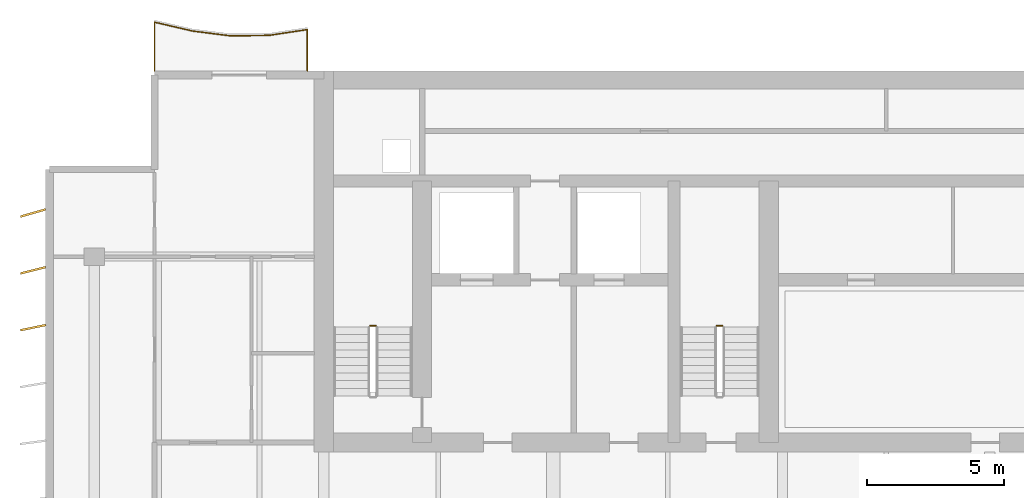
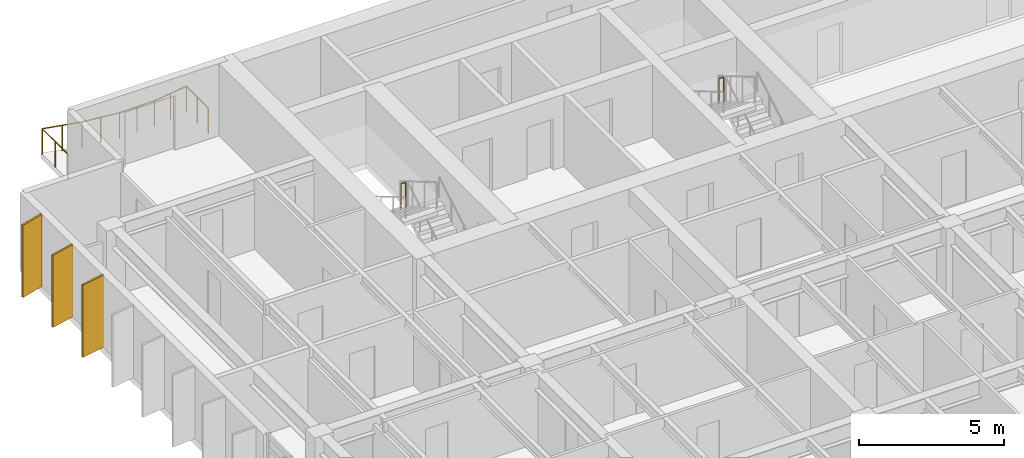
# One storey, part 16 of 17: 3 railings, 3 shading devices.
"""IFC4 building model written with IfcOpenShell, lengths in metres."""

from ifc_helpers import new_model, si_unit, direction, frame, origin, origin_2d, place, context, subcontext, project, spatial, rectangle, circle, extrude, material, material_profile, profile_set, type_object, element, save


model = new_model("IFC4")

# Units and contexts
model_context = context("Model", 3, precision=1e-05, world=origin(), true_north=direction((0.0, 1.0)))
body_context = subcontext(model_context, "Body", "Model", "MODEL_VIEW")
ifc_project = project(units=[si_unit("LENGTHUNIT", "METRE"), si_unit("AREAUNIT", "SQUARE_METRE"), si_unit("VOLUMEUNIT", "CUBIC_METRE"), si_unit("PLANEANGLEUNIT", "RADIAN"), si_unit("MASSUNIT", "GRAM", prefix="KILO")], contexts=[model_context])

# Site, building, storey
site_placement = place(None, origin())
site = spatial("IfcSite", under=ifc_project, at=site_placement, CompositionType="ELEMENT")
building_placement = place(site_placement, origin())
building = spatial("IfcBuilding", under=site, at=building_placement, Name="Caelmar Bay Residences", CompositionType="ELEMENT")
storey_placement = place(building_placement, frame((0.0, 0.0, 236.39990234375)))
storey = spatial("IfcBuildingStorey", under=building, at=storey_placement, Name="L66", CompositionType="ELEMENT", Elevation=236.39990234375)

# Railings
ifc_material_1 = material(Name="Anodised bronze handrail with laminated hurricane glass infill", Category="glass")
railing_type_1 = type_object("IfcRailingType", Name="RL-BAL-1100", PredefinedType="BALUSTRADE", material=ifc_material_1)
railing_placement = place(storey_placement, frame((17.699951171875, 50.60009765625, 0.0)))
element("IfcRailing", 1, at=railing_placement, inside=storey, type_object=railing_type_1, Name="L66 north_west Balcony Balustrade", PredefinedType="BALUSTRADE", context=body_context, shape_type="SweptSolid", body=[
    extrude(circle(Radius=0.02392578125, at=origin_2d()), frame((0.0, 0.0, 1.076171875), z_axis=(0.0, 1.0, 0.0), x_axis=(-1.0, 0.0, 0.0)), (0.0, 0.0, 1.0), 1.51806640625),
    extrude(circle(Radius=0.02392578125, at=origin_2d()), frame((0.0, 1.51806640625, 1.076171875), z_axis=(-0.988786598686, -0.149335401894, 0.0), x_axis=(0.149335401894, -0.988786598686, 0.0)), (0.0, 0.0, 1.0), 1.415771484375),
    extrude(circle(Radius=0.02392578125, at=origin_2d()), frame((-1.39990234375, 1.306640625, 1.076171875), z_axis=(-0.999895289284, -0.014471021623, 0.0), x_axis=(0.014471021623, -0.999895289284, 0.0)), (0.0, 0.0, 1.0), 1.400390625),
    extrude(circle(Radius=0.02392578125, at=origin_2d()), frame((-2.800048828125, 1.286376953125, 1.076171875), z_axis=(-0.992187101504, 0.124758789708, 0.0), x_axis=(-0.124758789708, -0.992187101504, 0.0)), (0.0, 0.0, 1.0), 1.410888671875),
    extrude(circle(Radius=0.02392578125, at=origin_2d()), frame((-4.199951171875, 1.46240234375, 1.076171875), z_axis=(-0.973988849796, 0.226595940989, 0.0), x_axis=(-0.226595940989, -0.973988849796, 0.0)), (0.0, 0.0, 1.0), 1.437255859375),
    extrude(circle(Radius=0.02392578125, at=origin_2d()), frame((-5.599853515625, 1.7880859375, 1.076171875), z_axis=(0.0, -1.0, 0.0), x_axis=(1.0, 0.0, 0.0)), (0.0, 0.0, 1.0), 1.7880859375),
    extrude(circle(Radius=0.02099609375, at=origin_2d()), origin(), (0.0, 0.0, 1.0), 1.052001953125),
    extrude(circle(Radius=0.02099609375, at=origin_2d()), frame((0.0, 0.759033203125, 0.0)), (0.0, 0.0, 1.0), 1.052001953125),
    extrude(circle(Radius=0.02099609375, at=origin_2d()), frame((0.0, 1.51806640625, 0.0)), (0.0, 0.0, 1.0), 1.052001953125),
    extrude(circle(Radius=0.02099609375, at=origin_2d()), frame((-0.699951171875, 1.412353515625, 0.0)), (0.0, 0.0, 1.0), 1.052001953125),
    extrude(circle(Radius=0.02099609375, at=origin_2d()), frame((-1.39990234375, 1.306640625, 0.0)), (0.0, 0.0, 1.0), 1.052001953125),
    extrude(circle(Radius=0.02099609375, at=origin_2d()), frame((-2.10009765625, 1.29638671875, 0.0)), (0.0, 0.0, 1.0), 1.052001953125),
    extrude(circle(Radius=0.02099609375, at=origin_2d()), frame((-2.800048828125, 1.286376953125, 0.0)), (0.0, 0.0, 1.0), 1.052001953125),
    extrude(circle(Radius=0.02099609375, at=origin_2d()), frame((-3.5, 1.37451171875, 0.0)), (0.0, 0.0, 1.0), 1.052001953125),
    extrude(circle(Radius=0.02099609375, at=origin_2d()), frame((-4.199951171875, 1.46240234375, 0.0)), (0.0, 0.0, 1.0), 1.052001953125),
    extrude(circle(Radius=0.02099609375, at=origin_2d()), frame((-4.89990234375, 1.625244140625, 0.0)), (0.0, 0.0, 1.0), 1.052001953125),
    extrude(circle(Radius=0.02099609375, at=origin_2d()), frame((-5.599853515625, 1.7880859375, 0.0)), (0.0, 0.0, 1.0), 1.052001953125),
    extrude(circle(Radius=0.02099609375, at=origin_2d()), frame((-5.599853515625, 0.89404296875, 0.0)), (0.0, 0.0, 1.0), 1.052001953125),
    extrude(circle(Radius=0.02099609375, at=origin_2d()), frame((-5.599853515625, 0.0, 0.0)), (0.0, 0.0, 1.0), 1.052001953125),
])
ifc_material_2 = material(Name="Painted galvanized steel stair guard 1100 mm", Category="steel")
railing_type_2 = type_object("IfcRailingType", Name="RL-GRD-1100", PredefinedType="GUARDRAIL", material=ifc_material_2)
for number, where, name in (
    (2, (20.199951171875, 41.27001953125, 1.650146484375), "L66 ST1 stair guard 2"),
    (3, (32.89990234375, 41.27001953125, 1.650146484375), "L66 ST3 stair guard 2"),
):
    element("IfcRailing", number, at=place(storey_placement, frame(where)), inside=storey, type_object=railing_type_2, Name=name, PredefinedType="GUARDRAIL", context=body_context, shape_type="SweptSolid", body=[
        extrude(circle(Radius=0.02392578125, at=origin_2d()), frame((0.0, 0.0, 1.076171875), z_axis=(-1.0, 0.0, 0.0), x_axis=(0.0, -1.0, 0.0)), (0.0, 0.0, 1.0), 0.199951171875),
        extrude(circle(Radius=0.02099609375, at=origin_2d()), origin(), (0.0, 0.0, 1.0), 1.052001953125),
        extrude(circle(Radius=0.02099609375, at=origin_2d()), frame((-0.199951171875, 0.0, 0.0)), (0.0, 0.0, 1.0), 1.052001953125),
    ])

# Shading devices
ifc_material_3 = material(Name="Anodised architectural bronze aluminium 6063-T6", Category="aluminium")
ifc_material_profile = material_profile(ifc_material_3, rectangle(XDim=0.074951171875, YDim=0.949951171875, at=origin_2d()), Name="BRONZE-FIN-75X950")
ifc_profile_set = profile_set([ifc_material_profile], Name="Anodised architectural bronze aluminium 6063-T6")
shading_device_type = type_object("IfcShadingDeviceType", Name="SHD-FIN-950", PredefinedType="USERDEFINED", material=ifc_profile_set)
for number, where, z_axis, x_axis, name in (
    (4, (7.64990234375, 41.199951171875, 0.0), (0.0, 0.0, 1.0), (-0.2032999874, 0.979116497217, 0.0), "L66 West Bronze Solar Fin 14"),
    (5, (7.64990234375, 43.300048828125, 0.0), (0.0, 0.0, 1.0), (-0.239719743609, 0.970842131618, 0.0), "L66 West Bronze Solar Fin 15"),
    (6, (7.64990234375, 45.39990234375, 0.0), (0.0, 0.0, 1.0), (-0.275637355817, 0.961261695938, 0.0), "L66 West Bronze Solar Fin 16"),
):
    element("IfcShadingDevice", number, at=place(storey_placement, frame(where, z_axis=z_axis, x_axis=x_axis)), inside=storey, type_object=shading_device_type, Name=name, ObjectType="FIN", PredefinedType="USERDEFINED", context=body_context, shape_type="SweptSolid", body=[
        extrude(rectangle(XDim=0.074951171875, YDim=0.949951171875, at=origin_2d()), origin(), (0.0, 0.0, 1.0), 3.050048828125),
    ])

save(model, "model.ifc")
